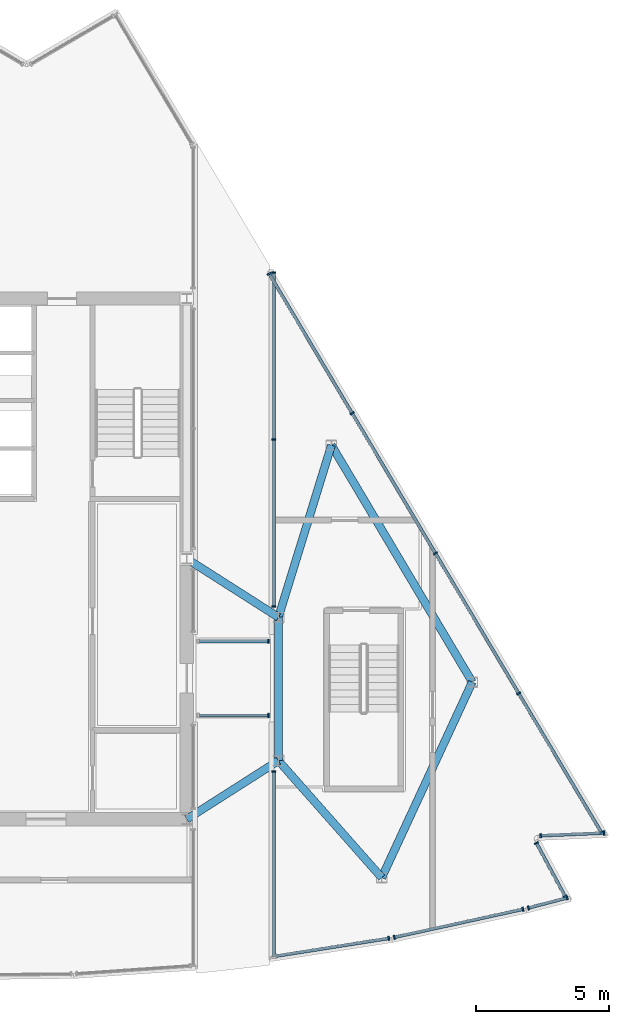
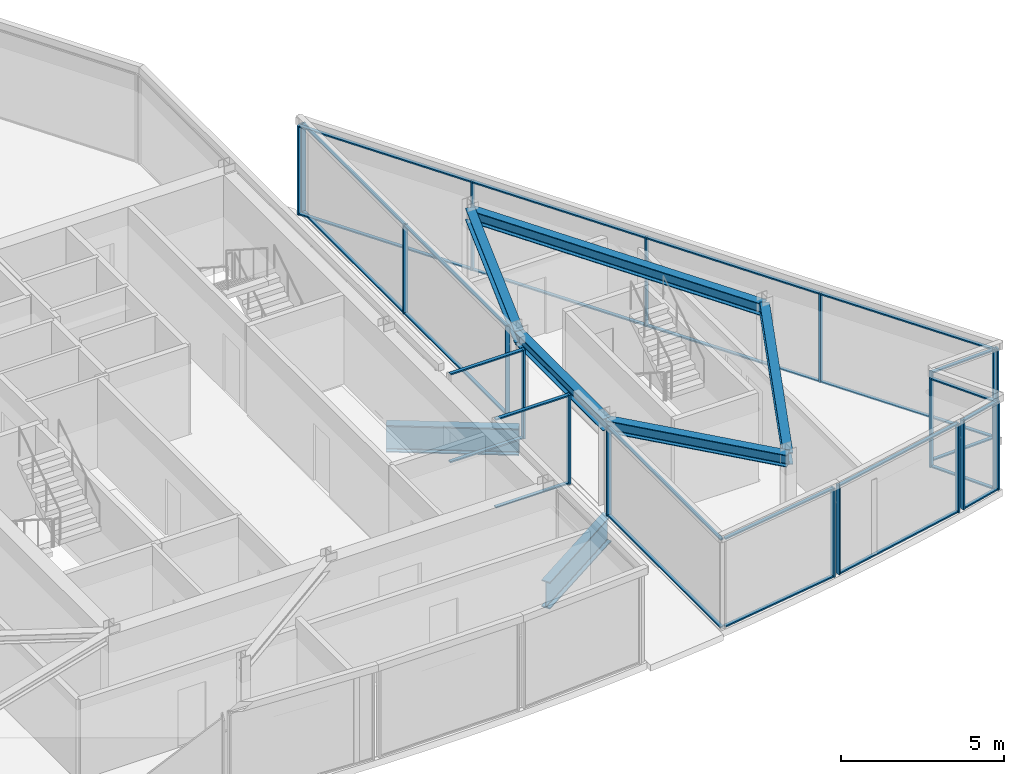
# One storey, part 6 of 15: 48 members, 7 beams, 10 elements without a shape of their own.
"""IFC4 building model written with IfcOpenShell, lengths in metres."""

from ifc_helpers import new_model, si_unit, direction, frame, origin, origin_2d, place, context, subcontext, project, spatial, rectangle, i_section, extrude, material, material_profile, profile_set, type_object, element, aggregate, save


model = new_model("IFC4")

# Units and contexts
model_context = context("Model", 3, precision=1e-05, world=origin(), true_north=direction((0.0, 1.0)))
body_context = subcontext(model_context, "Body", "Model", "MODEL_VIEW")
ifc_project = project(units=[si_unit("LENGTHUNIT", "METRE"), si_unit("AREAUNIT", "SQUARE_METRE"), si_unit("VOLUMEUNIT", "CUBIC_METRE"), si_unit("PLANEANGLEUNIT", "RADIAN"), si_unit("MASSUNIT", "GRAM", prefix="KILO")], contexts=[model_context])

# Site, building, storey
site_placement = place(None, origin())
site = spatial("IfcSite", under=ifc_project, at=site_placement, CompositionType="ELEMENT")
building_placement = place(site_placement, origin())
building = spatial("IfcBuilding", under=site, at=building_placement, Name="Savorim Split Tower", CompositionType="ELEMENT")
storey_placement = place(building_placement, frame((0.0, 0.0, 297.60009765625)))
storey = spatial("IfcBuildingStorey", under=building, at=storey_placement, Name="Crown L79 Plant", CompositionType="ELEMENT", Elevation=297.60009765625)

# Beams
ifc_material_1 = material(Name="Steel S355", Category="steel")
ifc_material_profile_1 = material_profile(ifc_material_1, i_section(OverallWidth=0.300048828125, OverallDepth=0.449951171875, WebThickness=0.013916015625, FlangeThickness=0.02587890625, FilletRadius=0.027099609375, at=origin_2d()), Name="HEB 450")
ifc_profile_set_1 = profile_set([ifc_material_profile_1], Name="Steel S355")
beam_type_1 = type_object("IfcBeamType", Name="BM-PRI-HEB450", PredefinedType="BEAM", material=ifc_profile_set_1)
beam_1_placement = place(storey_placement, frame((11.14990234375, -1.800048828125, 3.114990234375), z_axis=(0.0, -1.0, 0.0), x_axis=(1.0, 0.0, 0.0)))
element("IfcBeam", 1, at=beam_1_placement, inside=storey, type_object=beam_type_1, Name="Crown L79 Plant East Crown Beam EBG-1", PredefinedType="BEAM", context=body_context, shape_type="SweptSolid", body=[
    extrude(i_section(OverallWidth=0.300048828125, OverallDepth=0.449951171875, WebThickness=0.013916015625, FlangeThickness=0.02587890625, FilletRadius=0.027099609375, at=origin_2d()), origin(), (0.0, 0.0, 1.0), 5.39990234375),
])
beam_2_placement = place(storey_placement, frame((11.14990234375, -7.199951171875, 3.114990234375), z_axis=(0.661950206721, -0.749547812899, 0.0), x_axis=(0.749547812899, 0.661950206721, 0.0)))
element("IfcBeam", 2, at=beam_2_placement, inside=storey, type_object=beam_type_1, Name="Crown L79 Plant East Crown Beam EBG-2", PredefinedType="BEAM", context=body_context, shape_type="SweptSolid", body=[
    extrude(i_section(OverallWidth=0.300048828125, OverallDepth=0.449951171875, WebThickness=0.013916015625, FlangeThickness=0.02587890625, FilletRadius=0.027099609375, at=origin_2d()), origin(), (0.0, 0.0, 1.0), 5.872314453125),
])
beam_3_placement = place(storey_placement, frame((15.037109375, -11.6015625, 3.114990234375), z_axis=(0.420180016877, 0.9074407713, 0.0), x_axis=(-0.9074407713, 0.420180016877, 0.0)))
element("IfcBeam", 3, at=beam_3_placement, inside=storey, type_object=beam_type_1, Name="Crown L79 Plant East Crown Beam EBG-3", PredefinedType="BEAM", context=body_context, shape_type="SweptSolid", body=[
    extrude(i_section(OverallWidth=0.300048828125, OverallDepth=0.449951171875, WebThickness=0.013916015625, FlangeThickness=0.02587890625, FilletRadius=0.027099609375, at=origin_2d()), origin(), (0.0, 0.0, 1.0), 8.112548828125),
])
beam_4_placement = place(storey_placement, frame((18.44580078125, -4.239990234375, 3.114990234375), z_axis=(-0.511103121152, 0.859519400333, 0.0), x_axis=(-0.859519400333, -0.511103121152, 0.0)))
element("IfcBeam", 4, at=beam_4_placement, inside=storey, type_object=beam_type_1, Name="Crown L79 Plant East Crown Beam EBG-4", PredefinedType="BEAM", context=body_context, shape_type="SweptSolid", body=[
    extrude(i_section(OverallWidth=0.300048828125, OverallDepth=0.449951171875, WebThickness=0.013916015625, FlangeThickness=0.02587890625, FilletRadius=0.027099609375, at=origin_2d()), origin(), (0.0, 0.0, 1.0), 10.372802734375),
])
beam_5_placement = place(storey_placement, frame((11.14990234375, -1.800048828125, 3.114990234375), z_axis=(0.294341564788, 0.955700289441, 0.0), x_axis=(-0.955700289441, 0.294341564788, 0.0)))
element("IfcBeam", 5, at=beam_5_placement, inside=storey, type_object=beam_type_1, Name="Crown L79 Plant East Crown Perimeter Tie Beam", PredefinedType="BEAM", context=body_context, shape_type="SweptSolid", body=[
    extrude(i_section(OverallWidth=0.300048828125, OverallDepth=0.449951171875, WebThickness=0.013916015625, FlangeThickness=0.02587890625, FilletRadius=0.027099609375, at=origin_2d()), origin(), (0.0, 0.0, 1.0), 6.775634765625),
])
ifc_material_2 = material(Name="Steel S460", Category="steel")
ifc_material_profile_2 = material_profile(ifc_material_2, i_section(OverallWidth=0.302001953125, OverallDepth=1.008056640625, WebThickness=0.02099609375, FlangeThickness=0.0400390625, FilletRadius=0.030029296875, at=origin_2d()), Name="HE 1000 M")
ifc_profile_set_2 = profile_set([ifc_material_profile_2], Name="Steel S460")
beam_type_2 = type_object("IfcBeamType", Name="BM-TRF-HEM1000", PredefinedType="BEAM", material=ifc_profile_set_2)
for number, where, z_axis, x_axis, name in (
    (6, (7.699951171875, -9.39990234375, -0.744140625), (0.843159914, 0.537662867812, 0.0), (-0.537662867812, 0.843159914, 0.0), "Crown L79 Plant East Crown Transfer Girder S-A BASE"),
    (7, (7.699951171875, 0.39990234375, -0.744140625), (0.843159914, -0.537662867812, 0.0), (0.537662867812, 0.843159914, 0.0), "Crown L79 Plant East Crown Transfer Girder N-A BASE"),
):
    element("IfcBeam", number, at=place(storey_placement, frame(where, z_axis=z_axis, x_axis=x_axis)), inside=storey, type_object=beam_type_2, Name=name, PredefinedType="BEAM", context=body_context, shape_type="SweptSolid", body=[
        extrude(i_section(OverallWidth=0.302001953125, OverallDepth=1.008056640625, WebThickness=0.02099609375, FlangeThickness=0.0400390625, FilletRadius=0.030029296875, at=origin_2d()), origin(), (0.0, 0.0, 1.0), 4.091796875),
    ])

# Curtain wall, members
ifc_material_3 = material(Name="Dark Ceramic-Fritted Insulated Glass", Category="glass")
curtain_wall_type = type_object("IfcCurtainWallType", Name="CW-CROWN-CREST", PredefinedType="NOTDEFINED", material=ifc_material_3)
curtain_wall_1_placement = place(storey_placement, origin())
curtain_wall_1 = element("IfcCurtainWall", 8, at=curtain_wall_1_placement, inside=storey, type_object=curtain_wall_type, Name="Crown L79 Plant Curtain Wall CW-Crown-L79-Plant-E1A", PredefinedType="NOTDEFINED")
ifc_material_4 = material(Name="Charcoal Anodised Aluminium", Category="aluminium")
ifc_material_profile_3 = material_profile(ifc_material_4, rectangle(XDim=0.159912109375, YDim=0.06005859375, at=origin_2d()), Name="ALU-M 160x60")
ifc_profile_set_3 = profile_set([ifc_material_profile_3], Name="Charcoal Anodised Aluminium")
member_type_1 = type_object("IfcMemberType", Name="CWM-160x60", PredefinedType="MULLION", material=ifc_profile_set_3)
member_1_placement = place(storey_placement, frame((10.969970703125, 11.17138671875, 0.0), z_axis=(0.0, 0.0, 1.0), x_axis=(1.0, 0.0, 0.0)))
member_1 = element("IfcMember", 9, at=member_1_placement, type_object=member_type_1, Name="CW-07 mullion 1", PredefinedType="MULLION", context=body_context, shape_type="SweptSolid", body=[
    extrude(rectangle(XDim=0.159912109375, YDim=0.06005859375, at=origin_2d()), origin(), (0.0, 0.0, 1.0), 3.33984375),
])
member_2_placement = place(storey_placement, frame((10.969970703125, 4.890625, 0.0), z_axis=(0.0, 0.0, 1.0), x_axis=(1.0, 0.0, 0.0)))
member_2 = element("IfcMember", 10, at=member_2_placement, type_object=member_type_1, Name="CW-07 mullion 2", PredefinedType="MULLION", context=body_context, shape_type="SweptSolid", body=[
    extrude(rectangle(XDim=0.159912109375, YDim=0.06005859375, at=origin_2d()), origin(), (0.0, 0.0, 1.0), 3.33984375),
])
member_3_placement = place(storey_placement, frame((10.969970703125, -1.389892578125, 0.0), z_axis=(0.0, 0.0, 1.0), x_axis=(1.0, 0.0, 0.0)))
member_3 = element("IfcMember", 11, at=member_3_placement, type_object=member_type_1, Name="CW-07 mullion 3", PredefinedType="MULLION", context=body_context, shape_type="SweptSolid", body=[
    extrude(rectangle(XDim=0.159912109375, YDim=0.06005859375, at=origin_2d()), origin(), (0.0, 0.0, 1.0), 3.33984375),
])

# Curtain wall, member
curtain_wall_2_placement = place(storey_placement, origin())
curtain_wall_2 = element("IfcCurtainWall", 12, at=curtain_wall_2_placement, inside=storey, type_object=curtain_wall_type, Name="Crown L79 Plant Curtain Wall CW-Crown-L79-Plant-E1B", PredefinedType="NOTDEFINED")
member_4_placement = place(storey_placement, frame((10.969970703125, -7.610107421875, 0.0), z_axis=(0.0, 0.0, 1.0), x_axis=(1.0, 0.0, 0.0)))
member_4 = element("IfcMember", 13, at=member_4_placement, type_object=member_type_1, Name="CW-07 mullion 1", PredefinedType="MULLION", context=body_context, shape_type="SweptSolid", body=[
    extrude(rectangle(XDim=0.159912109375, YDim=0.06005859375, at=origin_2d()), origin(), (0.0, 0.0, 1.0), 3.33984375),
])

curtain_wall_3_placement = place(storey_placement, origin())
curtain_wall_3 = element("IfcCurtainWall", 14, at=curtain_wall_3_placement, inside=storey, type_object=curtain_wall_type, Name="Crown L79 Plant Curtain Wall CW-Crown-L79-Plant-E2A", PredefinedType="NOTDEFINED")
member_5_placement = place(storey_placement, frame((15.303466796875, -13.885498046875, 0.0), z_axis=(0.0, 0.0, 1.0), x_axis=(-0.155193190285, 0.987884139811, 0.0)))
member_5 = element("IfcMember", 15, at=member_5_placement, type_object=member_type_1, Name="CW-07 mullion 2", PredefinedType="MULLION", context=body_context, shape_type="SweptSolid", body=[
    extrude(rectangle(XDim=0.159912109375, YDim=0.06005859375, at=origin_2d()), origin(), (0.0, 0.0, 1.0), 3.33984375),
])

# Curtain wall, members
curtain_wall_4_placement = place(storey_placement, origin())
curtain_wall_4 = element("IfcCurtainWall", 16, at=curtain_wall_4_placement, inside=storey, type_object=curtain_wall_type, Name="Crown L79 Plant Curtain Wall CW-Crown-L79-Plant-E3A", PredefinedType="NOTDEFINED")
member_6_placement = place(storey_placement, frame((15.5126953125, -13.84619140625, 0.0), z_axis=(0.0, 0.0, 1.0), x_axis=(-0.213206550812, 0.977007147717, 0.0)))
member_6 = element("IfcMember", 17, at=member_6_placement, type_object=member_type_1, Name="CW-07 mullion 1", PredefinedType="MULLION", context=body_context, shape_type="SweptSolid", body=[
    extrude(rectangle(XDim=0.159912109375, YDim=0.06005859375, at=origin_2d()), origin(), (0.0, 0.0, 1.0), 3.33984375),
])
member_7_placement = place(storey_placement, frame((20.350830078125, -12.79052734375, 0.0), z_axis=(0.0, 0.0, 1.0), x_axis=(-0.213206550812, 0.977007147717, 0.0)))
member_7 = element("IfcMember", 18, at=member_7_placement, type_object=member_type_1, Name="CW-07 mullion 2", PredefinedType="MULLION", context=body_context, shape_type="SweptSolid", body=[
    extrude(rectangle(XDim=0.159912109375, YDim=0.06005859375, at=origin_2d()), origin(), (0.0, 0.0, 1.0), 3.33984375),
])

curtain_wall_5_placement = place(storey_placement, origin())
curtain_wall_5 = element("IfcCurtainWall", 19, at=curtain_wall_5_placement, inside=storey, type_object=curtain_wall_type, Name="Crown L79 Plant Curtain Wall CW-Crown-L79-Plant-E4A", PredefinedType="NOTDEFINED")
member_8_placement = place(storey_placement, frame((20.559814453125, -12.740478515625, 0.0), z_axis=(0.0, 0.0, 1.0), x_axis=(-0.253095865096, 0.967441203935, 0.0)))
member_8 = element("IfcMember", 20, at=member_8_placement, type_object=member_type_1, Name="CW-07 mullion 1", PredefinedType="MULLION", context=body_context, shape_type="SweptSolid", body=[
    extrude(rectangle(XDim=0.159912109375, YDim=0.06005859375, at=origin_2d()), origin(), (0.0, 0.0, 1.0), 3.33984375),
])
member_9_placement = place(storey_placement, frame((22.01513671875, -12.359619140625, 0.0), z_axis=(0.0, 0.0, 1.0), x_axis=(-0.253095865096, 0.967441203935, 0.0)))
member_9 = element("IfcMember", 21, at=member_9_placement, type_object=member_type_1, Name="CW-07 mullion 2", PredefinedType="MULLION", context=body_context, shape_type="SweptSolid", body=[
    extrude(rectangle(XDim=0.159912109375, YDim=0.06005859375, at=origin_2d()), origin(), (0.0, 0.0, 1.0), 3.33984375),
])

curtain_wall_6_placement = place(storey_placement, origin())
curtain_wall_6 = element("IfcCurtainWall", 22, at=curtain_wall_6_placement, inside=storey, type_object=curtain_wall_type, Name="Crown L79 Plant Curtain Wall CW-Crown-L79-Plant-E5A", PredefinedType="NOTDEFINED")
member_10_placement = place(storey_placement, frame((21.944580078125, -12.315185546875, 0.0), z_axis=(0.0, 0.0, 1.0), x_axis=(-0.881168923021, -0.472801574766, 0.0)))
member_10 = element("IfcMember", 23, at=member_10_placement, type_object=member_type_1, Name="CW-07 mullion 1", PredefinedType="MULLION", context=body_context, shape_type="SweptSolid", body=[
    extrude(rectangle(XDim=0.159912109375, YDim=0.06005859375, at=origin_2d()), origin(), (0.0, 0.0, 1.0), 3.33984375),
])
member_11_placement = place(storey_placement, frame((20.86279296875, -10.299072265625, 0.0), z_axis=(0.0, 0.0, 1.0), x_axis=(-0.881168923021, -0.472801574766, 0.0)))
member_11 = element("IfcMember", 24, at=member_11_placement, type_object=member_type_1, Name="CW-07 mullion 2", PredefinedType="MULLION", context=body_context, shape_type="SweptSolid", body=[
    extrude(rectangle(XDim=0.159912109375, YDim=0.06005859375, at=origin_2d()), origin(), (0.0, 0.0, 1.0), 3.33984375),
])

curtain_wall_7_placement = place(storey_placement, origin())
curtain_wall_7 = element("IfcCurtainWall", 25, at=curtain_wall_7_placement, inside=storey, type_object=curtain_wall_type, Name="Crown L79 Plant Curtain Wall CW-Crown-L79-Plant-E6A", PredefinedType="NOTDEFINED")
member_12_placement = place(storey_placement, frame((21.021240234375, -10.020751953125, 0.0), z_axis=(0.0, 0.0, 1.0), x_axis=(-0.042475720687, 0.999097499322, 0.0)))
member_12 = element("IfcMember", 26, at=member_12_placement, type_object=member_type_1, Name="CW-07 mullion 1", PredefinedType="MULLION", context=body_context, shape_type="SweptSolid", body=[
    extrude(rectangle(XDim=0.159912109375, YDim=0.06005859375, at=origin_2d()), origin(), (0.0, 0.0, 1.0), 3.33984375),
])
member_13_placement = place(storey_placement, frame((23.409912109375, -9.919189453125, 0.0), z_axis=(0.0, 0.0, 1.0), x_axis=(-0.042475720687, 0.999097499322, 0.0)))
member_13 = element("IfcMember", 27, at=member_13_placement, type_object=member_type_1, Name="CW-07 mullion 2", PredefinedType="MULLION", context=body_context, shape_type="SweptSolid", body=[
    extrude(rectangle(XDim=0.159912109375, YDim=0.06005859375, at=origin_2d()), origin(), (0.0, 0.0, 1.0), 3.33984375),
])

curtain_wall_8_placement = place(storey_placement, origin())
curtain_wall_8 = element("IfcCurtainWall", 28, at=curtain_wall_8_placement, inside=storey, type_object=curtain_wall_type, Name="Crown L79 Plant Curtain Wall CW-Crown-L79-Plant-E7A", PredefinedType="NOTDEFINED")
member_14_placement = place(storey_placement, frame((23.311767578125, -9.9111328125, 0.0), z_axis=(0.0, 0.0, 1.0), x_axis=(-0.859524612613, -0.511094355587, 0.0)))
member_14 = element("IfcMember", 29, at=member_14_placement, type_object=member_type_1, Name="CW-07 mullion 1", PredefinedType="MULLION", context=body_context, shape_type="SweptSolid", body=[
    extrude(rectangle(XDim=0.159912109375, YDim=0.06005859375, at=origin_2d()), origin(), (0.0, 0.0, 1.0), 3.33984375),
])
member_15_placement = place(storey_placement, frame((20.1923828125, -4.664794921875, 0.0), z_axis=(0.0, 0.0, 1.0), x_axis=(-0.859524612613, -0.511094355587, 0.0)))
member_15 = element("IfcMember", 30, at=member_15_placement, type_object=member_type_1, Name="CW-07 mullion 2", PredefinedType="MULLION", context=body_context, shape_type="SweptSolid", body=[
    extrude(rectangle(XDim=0.159912109375, YDim=0.06005859375, at=origin_2d()), origin(), (0.0, 0.0, 1.0), 3.33984375),
])
member_16_placement = place(storey_placement, frame((17.057373046875, 0.607177734375, 0.0), z_axis=(0.0, 0.0, 1.0), x_axis=(-0.859524612613, -0.511094355587, 0.0)))
member_16 = element("IfcMember", 31, at=member_16_placement, type_object=member_type_1, Name="CW-07 mullion 3", PredefinedType="MULLION", context=body_context, shape_type="SweptSolid", body=[
    extrude(rectangle(XDim=0.159912109375, YDim=0.06005859375, at=origin_2d()), origin(), (0.0, 0.0, 1.0), 3.33984375),
])
member_17_placement = place(storey_placement, frame((13.922607421875, 5.87939453125, 0.0), z_axis=(0.0, 0.0, 1.0), x_axis=(-0.859524612613, -0.511094355587, 0.0)))
member_17 = element("IfcMember", 32, at=member_17_placement, type_object=member_type_1, Name="CW-07 mullion 4", PredefinedType="MULLION", context=body_context, shape_type="SweptSolid", body=[
    extrude(rectangle(XDim=0.159912109375, YDim=0.06005859375, at=origin_2d()), origin(), (0.0, 0.0, 1.0), 3.33984375),
])
member_18_placement = place(storey_placement, frame((10.802978515625, 11.12548828125, 0.0), z_axis=(0.0, 0.0, 1.0), x_axis=(-0.859524612613, -0.511094355587, 0.0)))
member_18 = element("IfcMember", 33, at=member_18_placement, type_object=member_type_1, Name="CW-07 mullion 5", PredefinedType="MULLION", context=body_context, shape_type="SweptSolid", body=[
    extrude(rectangle(XDim=0.159912109375, YDim=0.06005859375, at=origin_2d()), origin(), (0.0, 0.0, 1.0), 3.33984375),
])

# Curtain wall, member
curtain_wall_9_placement = place(storey_placement, origin())
curtain_wall_9 = element("IfcCurtainWall", 34, at=curtain_wall_9_placement, inside=storey, type_object=curtain_wall_type, Name="Crown L79 Plant Curtain Wall CW-Crown-L79-BR-S", PredefinedType="NOTDEFINED")
member_19_placement = place(storey_placement, frame((10.77001953125, -5.5, 0.0), z_axis=(0.0, 0.0, 1.0), x_axis=(0.0, 1.0, 0.0)))
member_19 = element("IfcMember", 35, at=member_19_placement, type_object=member_type_1, Name="CW-07 mullion 2", PredefinedType="MULLION", context=body_context, shape_type="SweptSolid", body=[
    extrude(rectangle(XDim=0.159912109375, YDim=0.06005859375, at=origin_2d()), origin(), (0.0, 0.0, 1.0), 3.33984375),
])

curtain_wall_10_placement = place(storey_placement, origin())
curtain_wall_10 = element("IfcCurtainWall", 36, at=curtain_wall_10_placement, inside=storey, type_object=curtain_wall_type, Name="Crown L79 Plant Curtain Wall CW-Crown-L79-BR-N", PredefinedType="NOTDEFINED")
member_20_placement = place(storey_placement, frame((10.77001953125, -2.699951171875, 0.0), z_axis=(0.0, 0.0, 1.0), x_axis=(0.0, -1.0, 0.0)))
member_20 = element("IfcMember", 37, at=member_20_placement, type_object=member_type_1, Name="CW-07 mullion 1", PredefinedType="MULLION", context=body_context, shape_type="SweptSolid", body=[
    extrude(rectangle(XDim=0.159912109375, YDim=0.06005859375, at=origin_2d()), origin(), (0.0, 0.0, 1.0), 3.33984375),
])

# Member
ifc_material_profile_4 = material_profile(ifc_material_4, rectangle(XDim=0.1201171875, YDim=0.050048828125, at=origin_2d()), Name="ALU-T 120x50")
ifc_profile_set_4 = profile_set([ifc_material_profile_4], Name="Charcoal Anodised Aluminium")
member_type_2 = type_object("IfcMemberType", Name="CWT-120x50", PredefinedType="USERDEFINED", material=ifc_profile_set_4)
member_21_placement = place(storey_placement, frame((10.969970703125, 11.141357421875, 0.02490234375), z_axis=(0.0, -1.0, 0.0), x_axis=(1.0, 0.0, 0.0)))
member_21 = element("IfcMember", 38, at=member_21_placement, type_object=member_type_2, Name="CW-07 transom 1.1", ObjectType="TRANSOM", PredefinedType="USERDEFINED", context=body_context, shape_type="SweptSolid", body=[
    extrude(rectangle(XDim=0.1201171875, YDim=0.050048828125, at=origin_2d()), origin(), (0.0, 0.0, 1.0), 6.220703125),
])

member_22_placement = place(storey_placement, frame((10.969970703125, 11.141357421875, 3.31494140625), z_axis=(0.0, -1.0, 0.0), x_axis=(1.0, 0.0, 0.0)))
member_22 = element("IfcMember", 39, at=member_22_placement, type_object=member_type_2, Name="CW-07 transom 1.2", ObjectType="TRANSOM", PredefinedType="USERDEFINED", context=body_context, shape_type="SweptSolid", body=[
    extrude(rectangle(XDim=0.1201171875, YDim=0.050048828125, at=origin_2d()), origin(), (0.0, 0.0, 1.0), 6.220703125),
])

member_23_placement = place(storey_placement, frame((10.969970703125, 4.860595703125, 0.02490234375), z_axis=(0.0, -1.0, 0.0), x_axis=(1.0, 0.0, 0.0)))
member_23 = element("IfcMember", 40, at=member_23_placement, type_object=member_type_2, Name="CW-07 transom 2.1", ObjectType="TRANSOM", PredefinedType="USERDEFINED", context=body_context, shape_type="SweptSolid", body=[
    extrude(rectangle(XDim=0.1201171875, YDim=0.050048828125, at=origin_2d()), origin(), (0.0, 0.0, 1.0), 6.220703125),
])

member_24_placement = place(storey_placement, frame((10.969970703125, 4.860595703125, 3.31494140625), z_axis=(0.0, -1.0, 0.0), x_axis=(1.0, 0.0, 0.0)))
member_24 = element("IfcMember", 41, at=member_24_placement, type_object=member_type_2, Name="CW-07 transom 2.2", ObjectType="TRANSOM", PredefinedType="USERDEFINED", context=body_context, shape_type="SweptSolid", body=[
    extrude(rectangle(XDim=0.1201171875, YDim=0.050048828125, at=origin_2d()), origin(), (0.0, 0.0, 1.0), 6.220703125),
])

aggregate(curtain_wall_1, [member_1, member_2, member_3, member_21, member_22, member_23, member_24])

member_25_placement = place(storey_placement, frame((10.969970703125, -7.639892578125, 0.02490234375), z_axis=(0.0, -1.0, 0.0), x_axis=(1.0, 0.0, 0.0)))
member_25 = element("IfcMember", 42, at=member_25_placement, type_object=member_type_2, Name="CW-07 transom 1.1", ObjectType="TRANSOM", PredefinedType="USERDEFINED", context=body_context, shape_type="SweptSolid", body=[
    extrude(rectangle(XDim=0.1201171875, YDim=0.050048828125, at=origin_2d()), origin(), (0.0, 0.0, 1.0), 6.9267578125),
])

member_26_placement = place(storey_placement, frame((10.969970703125, -7.639892578125, 3.31494140625), z_axis=(0.0, -1.0, 0.0), x_axis=(1.0, 0.0, 0.0)))
member_26 = element("IfcMember", 43, at=member_26_placement, type_object=member_type_2, Name="CW-07 transom 1.2", ObjectType="TRANSOM", PredefinedType="USERDEFINED", context=body_context, shape_type="SweptSolid", body=[
    extrude(rectangle(XDim=0.1201171875, YDim=0.050048828125, at=origin_2d()), origin(), (0.0, 0.0, 1.0), 6.9267578125),
])

aggregate(curtain_wall_2, [member_4, member_25, member_26])

member_27_placement = place(storey_placement, frame((11.073486328125, -14.550048828125, 0.02490234375), z_axis=(0.98788278539, 0.155201811619, 0.0), x_axis=(-0.155201811619, 0.98788278539, 0.0)))
member_27 = element("IfcMember", 44, at=member_27_placement, type_object=member_type_2, Name="CW-07 transom 1.1", ObjectType="TRANSOM", PredefinedType="USERDEFINED", context=body_context, shape_type="SweptSolid", body=[
    extrude(rectangle(XDim=0.1201171875, YDim=0.050048828125, at=origin_2d()), origin(), (0.0, 0.0, 1.0), 4.251953125),
])

member_28_placement = place(storey_placement, frame((11.073486328125, -14.550048828125, 3.31494140625), z_axis=(0.98788278539, 0.155201811619, 0.0), x_axis=(-0.155201811619, 0.98788278539, 0.0)))
member_28 = element("IfcMember", 45, at=member_28_placement, type_object=member_type_2, Name="CW-07 transom 1.2", ObjectType="TRANSOM", PredefinedType="USERDEFINED", context=body_context, shape_type="SweptSolid", body=[
    extrude(rectangle(XDim=0.1201171875, YDim=0.050048828125, at=origin_2d()), origin(), (0.0, 0.0, 1.0), 4.251953125),
])

aggregate(curtain_wall_3, [member_5, member_27, member_28])

member_29_placement = place(storey_placement, frame((15.5419921875, -13.83984375, 0.02490234375), z_axis=(0.977008957702, 0.21319825649, 0.0), x_axis=(-0.21319825649, 0.977008957702, 0.0)))
member_29 = element("IfcMember", 46, at=member_29_placement, type_object=member_type_2, Name="CW-07 transom 1.1", ObjectType="TRANSOM", PredefinedType="USERDEFINED", context=body_context, shape_type="SweptSolid", body=[
    extrude(rectangle(XDim=0.1201171875, YDim=0.050048828125, at=origin_2d()), origin(), (0.0, 0.0, 1.0), 4.89208984375),
])

member_30_placement = place(storey_placement, frame((15.5419921875, -13.83984375, 3.31494140625), z_axis=(0.977008957702, 0.21319825649, 0.0), x_axis=(-0.21319825649, 0.977008957702, 0.0)))
member_30 = element("IfcMember", 47, at=member_30_placement, type_object=member_type_2, Name="CW-07 transom 1.2", ObjectType="TRANSOM", PredefinedType="USERDEFINED", context=body_context, shape_type="SweptSolid", body=[
    extrude(rectangle(XDim=0.1201171875, YDim=0.050048828125, at=origin_2d()), origin(), (0.0, 0.0, 1.0), 4.89208984375),
])

aggregate(curtain_wall_4, [member_6, member_7, member_29, member_30])

member_31_placement = place(storey_placement, frame((20.5888671875, -12.73291015625, 0.02490234375), z_axis=(0.967408711362, 0.253220033133, 0.0), x_axis=(-0.253220033133, 0.967408711362, 0.0)))
member_31 = element("IfcMember", 48, at=member_31_placement, type_object=member_type_2, Name="CW-07 transom 1.1", ObjectType="TRANSOM", PredefinedType="USERDEFINED", context=body_context, shape_type="SweptSolid", body=[
    extrude(rectangle(XDim=0.1201171875, YDim=0.050048828125, at=origin_2d()), origin(), (0.0, 0.0, 1.0), 1.4443359375),
])

member_32_placement = place(storey_placement, frame((20.5888671875, -12.73291015625, 3.31494140625), z_axis=(0.967408711362, 0.253220033133, 0.0), x_axis=(-0.253220033133, 0.967408711362, 0.0)))
member_32 = element("IfcMember", 49, at=member_32_placement, type_object=member_type_2, Name="CW-07 transom 1.2", ObjectType="TRANSOM", PredefinedType="USERDEFINED", context=body_context, shape_type="SweptSolid", body=[
    extrude(rectangle(XDim=0.1201171875, YDim=0.050048828125, at=origin_2d()), origin(), (0.0, 0.0, 1.0), 1.4443359375),
])

aggregate(curtain_wall_5, [member_8, member_9, member_31, member_32])

member_33_placement = place(storey_placement, frame((21.930419921875, -12.288818359375, 0.02490234375), z_axis=(-0.472799029552, 0.881170288681, 0.0), x_axis=(-0.881170288681, -0.472799029552, 0.0)))
member_33 = element("IfcMember", 50, at=member_33_placement, type_object=member_type_2, Name="CW-07 transom 1.1", ObjectType="TRANSOM", PredefinedType="USERDEFINED", context=body_context, shape_type="SweptSolid", body=[
    extrude(rectangle(XDim=0.1201171875, YDim=0.050048828125, at=origin_2d()), origin(), (0.0, 0.0, 1.0), 2.22802734375),
])

member_34_placement = place(storey_placement, frame((21.930419921875, -12.288818359375, 3.31494140625), z_axis=(-0.472799029552, 0.881170288681, 0.0), x_axis=(-0.881170288681, -0.472799029552, 0.0)))
member_34 = element("IfcMember", 51, at=member_34_placement, type_object=member_type_2, Name="CW-07 transom 1.2", ObjectType="TRANSOM", PredefinedType="USERDEFINED", context=body_context, shape_type="SweptSolid", body=[
    extrude(rectangle(XDim=0.1201171875, YDim=0.050048828125, at=origin_2d()), origin(), (0.0, 0.0, 1.0), 2.22802734375),
])

aggregate(curtain_wall_6, [member_10, member_11, member_33, member_34])

member_35_placement = place(storey_placement, frame((21.05126953125, -10.01953125, 0.02490234375), z_axis=(0.99909971788, 0.042423504481, 0.0), x_axis=(-0.042423504481, 0.99909971788, 0.0)))
member_35 = element("IfcMember", 52, at=member_35_placement, type_object=member_type_2, Name="CW-07 transom 1.1", ObjectType="TRANSOM", PredefinedType="USERDEFINED", context=body_context, shape_type="SweptSolid", body=[
    extrude(rectangle(XDim=0.1201171875, YDim=0.050048828125, at=origin_2d()), origin(), (0.0, 0.0, 1.0), 2.330810546875),
])

member_36_placement = place(storey_placement, frame((21.05126953125, -10.01953125, 3.31494140625), z_axis=(0.99909971788, 0.042423504481, 0.0), x_axis=(-0.042423504481, 0.99909971788, 0.0)))
member_36 = element("IfcMember", 53, at=member_36_placement, type_object=member_type_2, Name="CW-07 transom 1.2", ObjectType="TRANSOM", PredefinedType="USERDEFINED", context=body_context, shape_type="SweptSolid", body=[
    extrude(rectangle(XDim=0.1201171875, YDim=0.050048828125, at=origin_2d()), origin(), (0.0, 0.0, 1.0), 2.330810546875),
])

aggregate(curtain_wall_7, [member_12, member_13, member_35, member_36])

member_37_placement = place(storey_placement, frame((23.296630859375, -9.88525390625, 0.02490234375), z_axis=(-0.511099591479, 0.859521499202, 0.0), x_axis=(-0.859521499202, -0.511099591479, 0.0)))
member_37 = element("IfcMember", 54, at=member_37_placement, type_object=member_type_2, Name="CW-07 transom 1.1", ObjectType="TRANSOM", PredefinedType="USERDEFINED", context=body_context, shape_type="SweptSolid", body=[
    extrude(rectangle(XDim=0.1201171875, YDim=0.050048828125, at=origin_2d()), origin(), (0.0, 0.0, 1.0), 6.04345703125),
])

member_38_placement = place(storey_placement, frame((23.296630859375, -9.88525390625, 3.31494140625), z_axis=(-0.511099591479, 0.859521499202, 0.0), x_axis=(-0.859521499202, -0.511099591479, 0.0)))
member_38 = element("IfcMember", 55, at=member_38_placement, type_object=member_type_2, Name="CW-07 transom 1.2", ObjectType="TRANSOM", PredefinedType="USERDEFINED", context=body_context, shape_type="SweptSolid", body=[
    extrude(rectangle(XDim=0.1201171875, YDim=0.050048828125, at=origin_2d()), origin(), (0.0, 0.0, 1.0), 6.04345703125),
])

member_39_placement = place(storey_placement, frame((20.177001953125, -4.638916015625, 0.02490234375), z_axis=(-0.511098668922, 0.859522047783, 0.0), x_axis=(-0.859522047783, -0.511098668922, 0.0)))
member_39 = element("IfcMember", 56, at=member_39_placement, type_object=member_type_2, Name="CW-07 transom 2.1", ObjectType="TRANSOM", PredefinedType="USERDEFINED", context=body_context, shape_type="SweptSolid", body=[
    extrude(rectangle(XDim=0.1201171875, YDim=0.050048828125, at=origin_2d()), origin(), (0.0, 0.0, 1.0), 6.07373046875),
])

member_40_placement = place(storey_placement, frame((20.177001953125, -4.638916015625, 3.31494140625), z_axis=(-0.511098668922, 0.859522047783, 0.0), x_axis=(-0.859522047783, -0.511098668922, 0.0)))
member_40 = element("IfcMember", 57, at=member_40_placement, type_object=member_type_2, Name="CW-07 transom 2.2", ObjectType="TRANSOM", PredefinedType="USERDEFINED", context=body_context, shape_type="SweptSolid", body=[
    extrude(rectangle(XDim=0.1201171875, YDim=0.050048828125, at=origin_2d()), origin(), (0.0, 0.0, 1.0), 6.07373046875),
])

member_41_placement = place(storey_placement, frame((17.042236328125, 0.633056640625, 0.02490234375), z_axis=(-0.511098668922, 0.859522047783, 0.0), x_axis=(-0.859522047783, -0.511098668922, 0.0)))
member_41 = element("IfcMember", 58, at=member_41_placement, type_object=member_type_2, Name="CW-07 transom 3.1", ObjectType="TRANSOM", PredefinedType="USERDEFINED", context=body_context, shape_type="SweptSolid", body=[
    extrude(rectangle(XDim=0.1201171875, YDim=0.050048828125, at=origin_2d()), origin(), (0.0, 0.0, 1.0), 6.07373046875),
])

member_42_placement = place(storey_placement, frame((17.042236328125, 0.633056640625, 3.31494140625), z_axis=(-0.511098668922, 0.859522047783, 0.0), x_axis=(-0.859522047783, -0.511098668922, 0.0)))
member_42 = element("IfcMember", 59, at=member_42_placement, type_object=member_type_2, Name="CW-07 transom 3.2", ObjectType="TRANSOM", PredefinedType="USERDEFINED", context=body_context, shape_type="SweptSolid", body=[
    extrude(rectangle(XDim=0.1201171875, YDim=0.050048828125, at=origin_2d()), origin(), (0.0, 0.0, 1.0), 6.07373046875),
])

member_43_placement = place(storey_placement, frame((13.9072265625, 5.905029296875, 0.02490234375), z_axis=(-0.511099591479, 0.859521499202, 0.0), x_axis=(-0.859521499202, -0.511099591479, 0.0)))
member_43 = element("IfcMember", 60, at=member_43_placement, type_object=member_type_2, Name="CW-07 transom 4.1", ObjectType="TRANSOM", PredefinedType="USERDEFINED", context=body_context, shape_type="SweptSolid", body=[
    extrude(rectangle(XDim=0.1201171875, YDim=0.050048828125, at=origin_2d()), origin(), (0.0, 0.0, 1.0), 6.04345703125),
])

member_44_placement = place(storey_placement, frame((13.9072265625, 5.905029296875, 3.31494140625), z_axis=(-0.511099591479, 0.859521499202, 0.0), x_axis=(-0.859521499202, -0.511099591479, 0.0)))
member_44 = element("IfcMember", 61, at=member_44_placement, type_object=member_type_2, Name="CW-07 transom 4.2", ObjectType="TRANSOM", PredefinedType="USERDEFINED", context=body_context, shape_type="SweptSolid", body=[
    extrude(rectangle(XDim=0.1201171875, YDim=0.050048828125, at=origin_2d()), origin(), (0.0, 0.0, 1.0), 6.04345703125),
])

aggregate(curtain_wall_8, [member_14, member_15, member_16, member_17, member_18, member_37, member_38, member_39, member_40, member_41, member_42, member_43, member_44])

member_45_placement = place(storey_placement, frame((8.159912109375, -5.5, 0.02490234375), z_axis=(1.0, 0.0, 0.0), x_axis=(0.0, 1.0, 0.0)))
member_45 = element("IfcMember", 62, at=member_45_placement, type_object=member_type_2, Name="CW-07 transom 1.1", ObjectType="TRANSOM", PredefinedType="USERDEFINED", context=body_context, shape_type="SweptSolid", body=[
    extrude(rectangle(XDim=0.1201171875, YDim=0.050048828125, at=origin_2d()), origin(), (0.0, 0.0, 1.0), 2.580078125),
])

member_46_placement = place(storey_placement, frame((8.159912109375, -5.5, 3.31494140625), z_axis=(1.0, 0.0, 0.0), x_axis=(0.0, 1.0, 0.0)))
member_46 = element("IfcMember", 63, at=member_46_placement, type_object=member_type_2, Name="CW-07 transom 1.2", ObjectType="TRANSOM", PredefinedType="USERDEFINED", context=body_context, shape_type="SweptSolid", body=[
    extrude(rectangle(XDim=0.1201171875, YDim=0.050048828125, at=origin_2d()), origin(), (0.0, 0.0, 1.0), 2.580078125),
])

aggregate(curtain_wall_9, [member_19, member_45, member_46])

member_47_placement = place(storey_placement, frame((10.739990234375, -2.699951171875, 0.02490234375), z_axis=(-1.0, 0.0, 0.0), x_axis=(0.0, -1.0, 0.0)))
member_47 = element("IfcMember", 64, at=member_47_placement, type_object=member_type_2, Name="CW-07 transom 1.1", ObjectType="TRANSOM", PredefinedType="USERDEFINED", context=body_context, shape_type="SweptSolid", body=[
    extrude(rectangle(XDim=0.1201171875, YDim=0.050048828125, at=origin_2d()), origin(), (0.0, 0.0, 1.0), 2.580078125),
])

member_48_placement = place(storey_placement, frame((10.739990234375, -2.699951171875, 3.31494140625), z_axis=(-1.0, 0.0, 0.0), x_axis=(0.0, -1.0, 0.0)))
member_48 = element("IfcMember", 65, at=member_48_placement, type_object=member_type_2, Name="CW-07 transom 1.2", ObjectType="TRANSOM", PredefinedType="USERDEFINED", context=body_context, shape_type="SweptSolid", body=[
    extrude(rectangle(XDim=0.1201171875, YDim=0.050048828125, at=origin_2d()), origin(), (0.0, 0.0, 1.0), 2.580078125),
])

aggregate(curtain_wall_10, [member_20, member_47, member_48])

save(model, "model.ifc")
